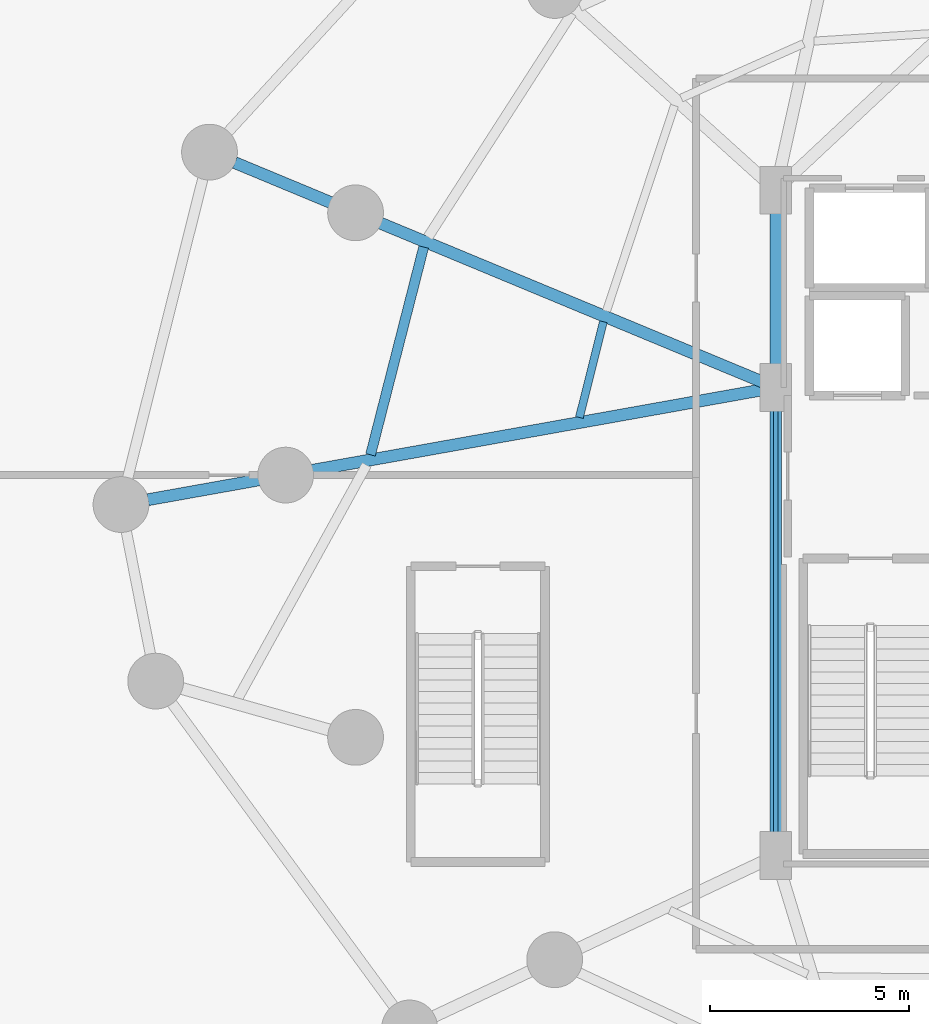
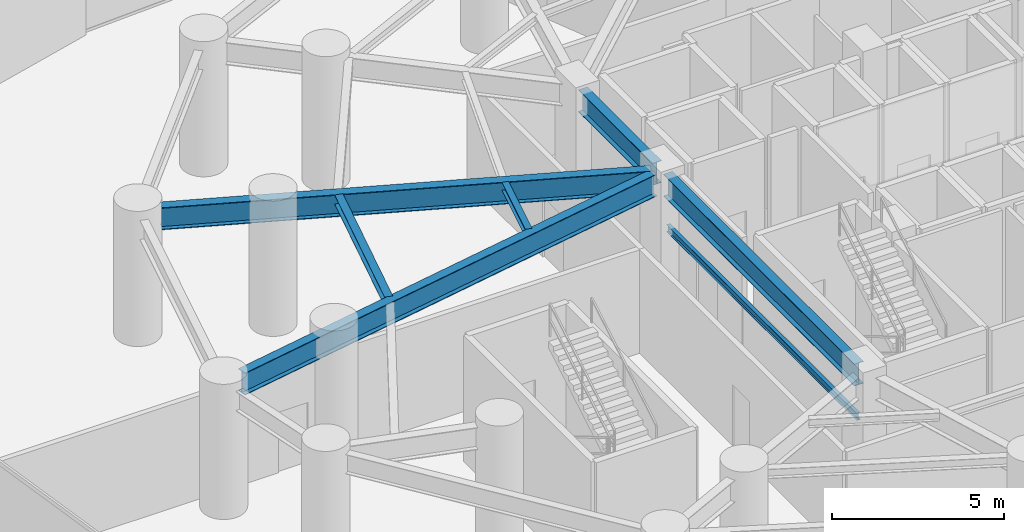
# One storey, part 8 of 30: 7 beams.
"""IFC4 building model written with IfcOpenShell, lengths in metres."""

from ifc_helpers import new_model, si_unit, direction, frame, origin, origin_2d, place, context, subcontext, project, spatial, i_section, extrude, material, material_profile, profile_set, type_object, element, save


model = new_model("IFC4")

# Units and contexts
model_context = context("Model", 3, precision=1e-05, world=origin(), true_north=direction((0.0, 1.0)))
body_context = subcontext(model_context, "Body", "Model", "MODEL_VIEW")
ifc_project = project(units=[si_unit("LENGTHUNIT", "METRE"), si_unit("AREAUNIT", "SQUARE_METRE"), si_unit("VOLUMEUNIT", "CUBIC_METRE"), si_unit("PLANEANGLEUNIT", "RADIAN"), si_unit("MASSUNIT", "GRAM", prefix="KILO")], contexts=[model_context])

# Site, building, storey
site_placement = place(None, origin())
site = spatial("IfcSite", under=ifc_project, at=site_placement, CompositionType="ELEMENT")
building_placement = place(site_placement, origin())
building = spatial("IfcBuilding", under=site, at=building_placement, Name="Vorneva Point Tower", CompositionType="ELEMENT")
storey_placement = place(building_placement, frame((0.0, 0.0, 9.60009765625)))
storey = spatial("IfcBuildingStorey", under=building, at=storey_placement, Name="L02", CompositionType="ELEMENT", Elevation=9.60009765625)

# Beams
ifc_material = material(Name="Steel S355", Category="steel")
ifc_material_profile_1 = material_profile(ifc_material, i_section(OverallWidth=0.300048828125, OverallDepth=0.7880859375, WebThickness=0.014404296875, FlangeThickness=0.02197265625, at=origin_2d()), Name="80Sh1")
ifc_profile_set_1 = profile_set([ifc_material_profile_1], Name="Steel S355")
beam_type_1 = type_object("IfcBeamType", Name="BM-GRD-80Sh1", PredefinedType="USERDEFINED", material=ifc_profile_set_1)
beam_1_placement = place(storey_placement, frame((13.67431640625, 33.84130859375, 4.0859375), z_axis=(0.923446675724, -0.383726774014, 0.0), x_axis=(0.383726774014, 0.923446675724, 0.0)))
element("IfcBeam", 1, at=beam_1_placement, inside=storey, type_object=beam_type_1, Name="L02 Radial Primary Girder 08", ObjectType="GIRDER", PredefinedType="USERDEFINED", context=body_context, shape_type="SweptSolid", body=[
    extrude(i_section(OverallWidth=0.300048828125, OverallDepth=0.7880859375, WebThickness=0.014404296875, FlangeThickness=0.02197265625, at=origin_2d()), origin(), (0.0, 0.0, 1.0), 14.361083984375),
])
beam_2_placement = place(storey_placement, frame((11.4951171875, 25.382080078125, 4.0859375), z_axis=(0.984378315353, 0.17606627236, 0.0), x_axis=(-0.17606627236, 0.984378315353, 0.0)))
element("IfcBeam", 2, at=beam_2_placement, inside=storey, type_object=beam_type_1, Name="L02 Radial Primary Girder 09", ObjectType="GIRDER", PredefinedType="USERDEFINED", context=body_context, shape_type="SweptSolid", body=[
    extrude(i_section(OverallWidth=0.300048828125, OverallDepth=0.7880859375, WebThickness=0.014404296875, FlangeThickness=0.02197265625, at=origin_2d()), origin(), (0.0, 0.0, 1.0), 15.664794921875),
])
beam_3_placement = place(storey_placement, frame((27.25, 16.77001953125, 4.0859375), z_axis=(0.0, 1.0, 0.0), x_axis=(-1.0, 0.0, 0.0)))
element("IfcBeam", 3, at=beam_3_placement, inside=storey, type_object=beam_type_1, Name="L02 Core Tie Girder CT1", ObjectType="GIRDER", PredefinedType="USERDEFINED", context=body_context, shape_type="SweptSolid", body=[
    extrude(i_section(OverallWidth=0.300048828125, OverallDepth=0.7880859375, WebThickness=0.014404296875, FlangeThickness=0.02197265625, at=origin_2d()), origin(), (0.0, 0.0, 1.0), 11.10986328125),
])
beam_4_placement = place(storey_placement, frame((27.25, 28.52001953125, 4.0859375), z_axis=(0.0, 1.0, 0.0), x_axis=(-1.0, 0.0, 0.0)))
element("IfcBeam", 4, at=beam_4_placement, inside=storey, type_object=beam_type_1, Name="L02 Core Tie Girder CT2", ObjectType="GIRDER", PredefinedType="USERDEFINED", context=body_context, shape_type="SweptSolid", body=[
    extrude(i_section(OverallWidth=0.300048828125, OverallDepth=0.7880859375, WebThickness=0.014404296875, FlangeThickness=0.02197265625, at=origin_2d()), origin(), (0.0, 0.0, 1.0), 4.31005859375),
])
ifc_material_profile_2 = material_profile(ifc_material, i_section(OverallWidth=0.1240234375, OverallDepth=0.248046875, WebThickness=0.0048828125, FlangeThickness=0.008056640625, at=origin_2d()), Name="25B1")
ifc_profile_set_2 = profile_set([ifc_material_profile_2], Name="Steel S355")
beam_type_2 = type_object("IfcBeamType", Name="BM-LNT-25B1", PredefinedType="LINTEL", material=ifc_profile_set_2)
beam_5_placement = place(storey_placement, frame((27.25, 16.7900390625, 2.5498046875), z_axis=(0.0, 1.0, 0.0), x_axis=(-1.0, 0.0, 0.0)))
element("IfcBeam", 5, at=beam_5_placement, inside=storey, type_object=beam_type_2, Name="L02 Core Opening Lintel Beam W", PredefinedType="LINTEL", context=body_context, shape_type="SweptSolid", body=[
    extrude(i_section(OverallWidth=0.1240234375, OverallDepth=0.248046875, WebThickness=0.0048828125, FlangeThickness=0.008056640625, at=origin_2d()), origin(), (0.0, 0.0, 1.0), 11.070068359375),
])
ifc_material_profile_3 = material_profile(ifc_material, i_section(OverallWidth=0.199951171875, OverallDepth=0.291015625, WebThickness=0.008056640625, FlangeThickness=0.010986328125, at=origin_2d()), Name="30Sh1")
ifc_profile_set_3 = profile_set([ifc_material_profile_3], Name="Steel S355")
beam_type_3 = type_object("IfcBeamType", Name="BM-SEC-30Sh1", PredefinedType="BEAM", material=ifc_profile_set_3)
beam_6_placement = place(storey_placement, frame((22.924072265625, 29.849853515625, 4.33447265625), z_axis=(-0.242721120731, -0.970096107379, 0.0), x_axis=(0.970096107379, -0.242721120731, 0.0)))
element("IfcBeam", 6, at=beam_6_placement, inside=storey, type_object=beam_type_3, Name="L02 Secondary Floor Beam 2.08", PredefinedType="BEAM", context=body_context, shape_type="SweptSolid", body=[
    extrude(i_section(OverallWidth=0.199951171875, OverallDepth=0.291015625, WebThickness=0.008056640625, FlangeThickness=0.010986328125, at=origin_2d()), origin(), (0.0, 0.0, 1.0), 2.477294921875),
])
ifc_material_profile_4 = material_profile(ifc_material, i_section(OverallWidth=0.2490234375, OverallDepth=0.333984375, WebThickness=0.008056640625, FlangeThickness=0.010986328125, at=origin_2d()), Name="35Sh1")
ifc_profile_set_4 = profile_set([ifc_material_profile_4], Name="Steel S355")
beam_type_4 = type_object("IfcBeamType", Name="BM-SEC-35Sh1", PredefinedType="BEAM", material=ifc_profile_set_4)
beam_7_placement = place(storey_placement, frame((18.414306640625, 31.723876953125, 4.31298828125), z_axis=(-0.247760984493, -0.968821188127, 0.0), x_axis=(0.968821188127, -0.247760984493, 0.0)))
element("IfcBeam", 7, at=beam_7_placement, inside=storey, type_object=beam_type_4, Name="L02 Secondary Floor Beam 1.08", PredefinedType="BEAM", context=body_context, shape_type="SweptSolid", body=[
    extrude(i_section(OverallWidth=0.2490234375, OverallDepth=0.333984375, WebThickness=0.008056640625, FlangeThickness=0.010986328125, at=origin_2d()), origin(), (0.0, 0.0, 1.0), 5.383056640625),
])

save(model, "model.ifc")
